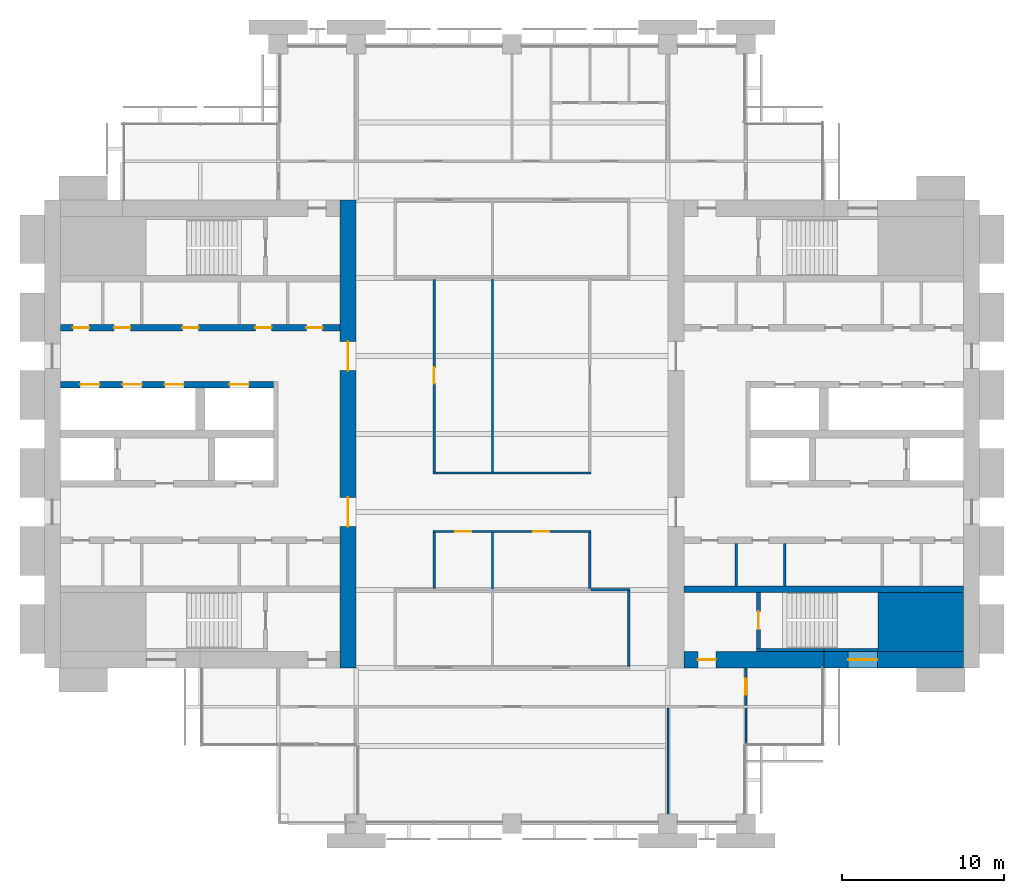
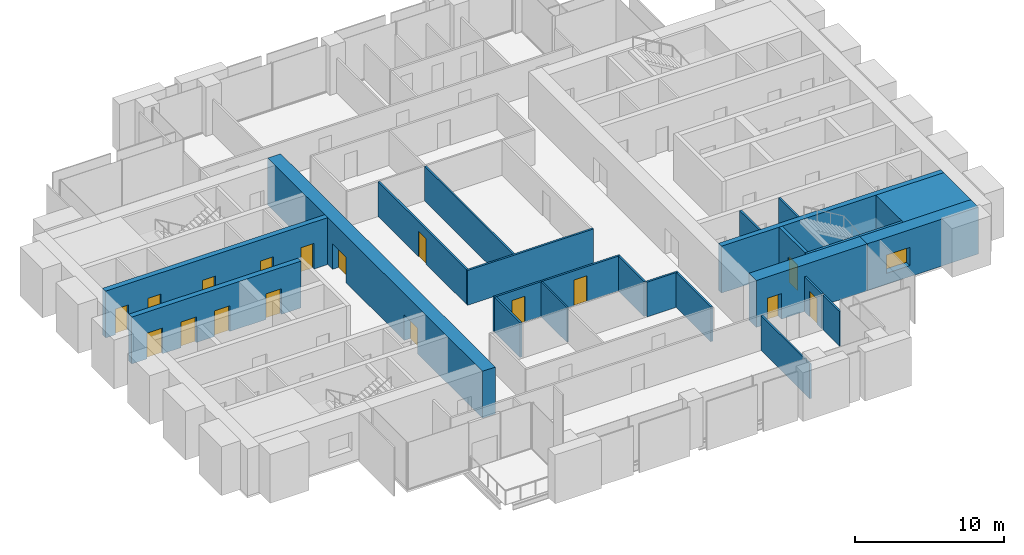
# One storey, part 10 of 14: 24 walls, 17 doors, 1 window, 18 openings.
"""IFC4 building model written with IfcOpenShell, lengths in metres."""

from ifc_helpers import new_model, si_unit, direction, frame, frame_2d, origin, place, context, subcontext, project, spatial, rectangle, extrude, material, layer, layer_set, type_object, element, fill, save


model = new_model("IFC4")

# Units and contexts
model_context = context("Model", 3, precision=1e-05, world=origin(), true_north=direction((0.0, 1.0)))
body_context = subcontext(model_context, "Body", "Model", "MODEL_VIEW")
ifc_project = project(units=[si_unit("LENGTHUNIT", "METRE"), si_unit("AREAUNIT", "SQUARE_METRE"), si_unit("VOLUMEUNIT", "CUBIC_METRE"), si_unit("PLANEANGLEUNIT", "RADIAN"), si_unit("MASSUNIT", "GRAM", prefix="KILO")], contexts=[model_context])

# Site, building, storey
site_placement = place(None, origin())
site = spatial("IfcSite", under=ifc_project, at=site_placement, CompositionType="ELEMENT")
building_placement = place(site_placement, origin())
building = spatial("IfcBuilding", under=site, at=building_placement, Name="Baori Bourse Tower", CompositionType="ELEMENT")
storey_placement = place(building_placement, frame((0.0, 0.0, 148.10009765625)))
storey = spatial("IfcBuildingStorey", under=building, at=storey_placement, Name="L32", CompositionType="ELEMENT", Elevation=148.10009765625)

# Walls
ifc_material_1 = material(Name="Concrete f'c 60 MPa", Category="concrete")
wall_type_1 = type_object("IfcWallType", Name="Core corner block f'c 60", PredefinedType="SHEAR", material=ifc_material_1)
wall_1_placement = place(storey_placement, frame((51.35009765625, 12.425048828125, 0.0), z_axis=(0.0, 0.0, 1.0), x_axis=(1.0, 0.0, 0.0)))
element("IfcWall", 1, at=wall_1_placement, inside=storey, type_object=wall_type_1, Name="Core wall E05", PredefinedType="SHEAR", context=body_context, shape_type="SweptSolid", body=[
    extrude(rectangle(XDim=5.25, YDim=3.64990234375, at=frame_2d((2.625, 0.0))), origin(), (0.0, 0.0, 1.0), 3.83984375),
])
ifc_material_2 = material(Name="Blockwork partition", Category="masonry")
ifc_layer_1 = layer(ifc_material_2, 0.14990234375)
ifc_layer_set_1 = layer_set([ifc_layer_1], Name="Core partition 150")
wall_type_2 = type_object("IfcWallType", Name="Core partition 150", PredefinedType="PARTITIONING", material=ifc_layer_set_1)
for number, where, z_axis, x_axis, name in (
    (2, (45.60009765625, 14.64990234375, 0.0), (0.0, 0.0, 1.0), (0.0, 1.0, 0.0), "Partition wall E12"),
    (3, (42.60009765625, 14.64990234375, 0.0), (0.0, 0.0, 1.0), (0.0, 1.0, 0.0), "Partition wall E13"),
):
    element("IfcWall", number, at=place(storey_placement, frame(where, z_axis=z_axis, x_axis=x_axis)), inside=storey, type_object=wall_type_2, Name=name, PredefinedType="PARTITIONING", context=body_context, shape_type="SweptSolid", body=[
        extrude(rectangle(XDim=2.60009765625, YDim=0.14990234375, at=frame_2d((1.300048828125, 0.0))), origin(), (0.0, 0.0, 1.0), 3.83984375),
    ])

# Wall, openings, doors
ifc_material_3 = material(Name="Concrete f'c 60 MPa", Category="concrete")
ifc_layer_2 = layer(ifc_material_3, 1.0)
ifc_layer_set_2 = layer_set([ifc_layer_2], Name="Core wall 1000 f'c 60")
wall_type_3 = type_object("IfcWallType", Name="Core wall 1000 f'c 60", PredefinedType="SHEAR", material=ifc_layer_set_2)
wall_2_placement = place(storey_placement, frame((18.699951171875, 38.39990234375, 0.0), z_axis=(0.0, 0.0, 1.0), x_axis=(0.0, -1.0, 0.0)))
wall_2 = element("IfcWall", 4, at=wall_2_placement, inside=storey, type_object=wall_type_3, Name="Core wall W04", PredefinedType="SHEAR", context=body_context, shape_type="SweptSolid", body=[
    extrude(rectangle(XDim=28.7998046875, YDim=1.0, at=frame_2d((14.39990234375, 0.0))), origin(), (0.0, 0.0, 1.0), 3.83984375),
])
opening_1_placement = place(wall_2_placement, frame((18.300048828125, 0.0, 0.0)))
opening_1 = element("IfcOpeningElement", 5, at=opening_1_placement, cuts=wall_2, Name="Opening L32-D107", PredefinedType="OPENING", context=body_context, shape_type="SweptSolid", body=[
    extrude(rectangle(XDim=1.800048828125, YDim=2.10009765625, at=frame_2d((0.89990234375, 1.050048828125))), frame((0.0, 0.510009765625, 0.0), z_axis=(0.0, -1.0, 0.0), x_axis=(1.0, 0.0, 0.0)), (0.0, 0.0, 1.0), 1.02001953125),
])
opening_2_placement = place(wall_2_placement, frame((8.699951171875, 0.0, 0.0)))
opening_2 = element("IfcOpeningElement", 6, at=opening_2_placement, cuts=wall_2, Name="Opening L32-D108", PredefinedType="OPENING", context=body_context, shape_type="SweptSolid", body=[
    extrude(rectangle(XDim=1.800048828125, YDim=2.10009765625, at=frame_2d((0.89990234375, 1.050048828125))), frame((0.0, 0.510009765625, 0.0), z_axis=(0.0, -1.0, 0.0), x_axis=(1.0, 0.0, 0.0)), (0.0, 0.0, 1.0), 1.02001953125),
])
ifc_material_4 = material(Name="Painted steel door", Category="steel")
door_type_1 = type_object("IfcDoorType", Name="Core lobby door 1800", OperationType="DOUBLE_DOOR_SINGLE_SWING", PredefinedType="DOOR", material=ifc_material_4)
door_1_placement = place(opening_1_placement, origin())
door_1 = element("IfcDoor", 7, at=door_1_placement, inside=storey, type_object=door_type_1, Name="Lobby door W L32", OperationType="DOUBLE_DOOR_SINGLE_SWING", OverallHeight=2.10009765625, OverallWidth=1.800048828125, PredefinedType="DOOR", context=body_context, shape_type="SweptSolid", body=[
    extrude(rectangle(XDim=1.800048828125, YDim=2.10009765625, at=frame_2d((0.89990234375, 1.050048828125))), frame((0.0, 0.02490234375, 0.0), z_axis=(0.0, -1.0, 0.0), x_axis=(1.0, 0.0, 0.0)), (0.0, 0.0, 1.0), 0.050048828125),
])
fill(opening_1, door_1)
door_2_placement = place(opening_2_placement, origin())
door_2 = element("IfcDoor", 8, at=door_2_placement, inside=storey, type_object=door_type_1, Name="Lobby door W L32", OperationType="DOUBLE_DOOR_SINGLE_SWING", OverallHeight=2.10009765625, OverallWidth=1.800048828125, PredefinedType="DOOR", context=body_context, shape_type="SweptSolid", body=[
    extrude(rectangle(XDim=1.800048828125, YDim=2.10009765625, at=frame_2d((0.89990234375, 1.050048828125))), frame((0.0, 0.02490234375, 0.0), z_axis=(0.0, -1.0, 0.0), x_axis=(1.0, 0.0, 0.0)), (0.0, 0.0, 1.0), 0.050048828125),
])
fill(opening_2, door_2)

# Wall, opening, window
wall_3_placement = place(storey_placement, frame((56.60009765625, 10.10009765625, 0.0), z_axis=(0.0, 0.0, 1.0), x_axis=(-1.0, 0.0, 0.0)))
wall_3 = element("IfcWall", 9, at=wall_3_placement, inside=storey, type_object=wall_type_3, Name="Core wall E02", PredefinedType="SHEAR", context=body_context, shape_type="SweptSolid", body=[
    extrude(rectangle(XDim=8.60009765625, YDim=1.0, at=frame_2d((4.300048828125, 0.0))), origin(), (0.0, 0.0, 1.0), 3.83984375),
])
opening_3_placement = place(wall_3_placement, frame((5.300048828125, 0.0, 0.89990234375)))
opening_3 = element("IfcOpeningElement", 10, at=opening_3_placement, cuts=wall_3, Name="Opening L32-KW203", PredefinedType="OPENING", context=body_context, shape_type="SweptSolid", body=[
    extrude(rectangle(XDim=1.800048828125, YDim=1.5, at=frame_2d((0.89990234375, 0.75))), frame((0.0, 0.510009765625, 0.0), z_axis=(0.0, -1.0, 0.0), x_axis=(1.0, 0.0, 0.0)), (0.0, 0.0, 1.0), 1.02001953125),
])
ifc_material_5 = material(Name="Pale anodised aluminium", Category="aluminium")
window_type = type_object("IfcWindowType", Name="Stair window 1800 x 1500", PartitioningType="SINGLE_PANEL", PredefinedType="WINDOW", material=ifc_material_5)
window_placement = place(opening_3_placement, origin())
window = element("IfcWindow", 11, at=window_placement, inside=storey, type_object=window_type, Name="Stair window E L32 3", OverallHeight=1.5, OverallWidth=1.800048828125, PartitioningType="SINGLE_PANEL", PredefinedType="WINDOW", context=body_context, shape_type="SweptSolid", body=[
    extrude(rectangle(XDim=1.800048828125, YDim=1.5, at=frame_2d((0.89990234375, 0.75))), frame((0.0, 0.030029296875, 0.0), z_axis=(0.0, -1.0, 0.0), x_axis=(1.0, 0.0, 0.0)), (0.0, 0.0, 1.0), 0.06005859375),
])
fill(opening_3, window)

# Wall, opening, door
wall_4_placement = place(storey_placement, frame((48.0, 10.10009765625, 0.0), z_axis=(0.0, 0.0, 1.0), x_axis=(-1.0, 0.0, 0.0)))
wall_4 = element("IfcWall", 12, at=wall_4_placement, inside=storey, type_object=wall_type_3, Name="Core wall E03", PredefinedType="SHEAR", context=body_context, shape_type="SweptSolid", body=[
    extrude(rectangle(XDim=8.60009765625, YDim=1.0, at=frame_2d((4.300048828125, 0.0))), origin(), (0.0, 0.0, 1.0), 3.83984375),
])
opening_4_placement = place(wall_4_placement, frame((6.64990234375, 0.0, 0.0)))
opening_4 = element("IfcOpeningElement", 13, at=opening_4_placement, cuts=wall_4, Name="Opening L32-D202", PredefinedType="OPENING", context=body_context, shape_type="SweptSolid", body=[
    extrude(rectangle(XDim=1.10009765625, YDim=2.10009765625, at=frame_2d((0.550048828125, 1.050048828125))), frame((0.0, 0.510009765625, 0.0), z_axis=(0.0, -1.0, 0.0), x_axis=(1.0, 0.0, 0.0)), (0.0, 0.0, 1.0), 1.02001953125),
])
ifc_material_6 = material(Name="Painted steel door", Category="steel")
door_type_2 = type_object("IfcDoorType", Name="Stair door 1100", OperationType="SINGLE_SWING_LEFT", PredefinedType="DOOR", material=ifc_material_6)
door_3_placement = place(opening_4_placement, origin())
door_3 = element("IfcDoor", 14, at=door_3_placement, inside=storey, type_object=door_type_2, Name="Stair vestibule door A E L32", OperationType="SINGLE_SWING_LEFT", OverallHeight=2.10009765625, OverallWidth=1.10009765625, PredefinedType="DOOR", context=body_context, shape_type="SweptSolid", body=[
    extrude(rectangle(XDim=1.10009765625, YDim=2.10009765625, at=frame_2d((0.550048828125, 1.050048828125))), frame((0.0, 0.02490234375, 0.0), z_axis=(0.0, -1.0, 0.0), x_axis=(1.0, 0.0, 0.0)), (0.0, 0.0, 1.0), 0.050048828125),
])
fill(opening_4, door_3)

# Wall
ifc_material_7 = material(Name="Gypsum board partition")
ifc_layer_3 = layer(ifc_material_7, 0.14990234375)
ifc_layer_set_3 = layer_set([ifc_layer_3], Name="Corridor partition 150")
wall_type_4 = type_object("IfcWallType", Name="Corridor partition 150", PredefinedType="PARTITIONING", material=ifc_layer_set_3)
wall_5_placement = place(storey_placement, frame((33.675048828125, 14.39990234375, 0.0), z_axis=(0.0, 0.0, 1.0), x_axis=(1.0, 0.0, 0.0)))
element("IfcWall", 15, at=wall_5_placement, inside=storey, type_object=wall_type_4, Name="Partition", PredefinedType="PARTITIONING", context=body_context, shape_type="SweptSolid", body=[
    extrude(rectangle(XDim=2.39990234375, YDim=0.14990234375, at=frame_2d((1.199951171875, 0.0))), origin(), (0.0, 0.0, 1.0), 2.849365234375),
])

# Wall, openings, doors
wall_6_placement = place(storey_placement, frame((23.925048828125, 18.0, 0.0), z_axis=(0.0, 0.0, 1.0), x_axis=(1.0, 0.0, 0.0)))
wall_6 = element("IfcWall", 16, at=wall_6_placement, inside=storey, type_object=wall_type_4, Name="Partition", PredefinedType="PARTITIONING", context=body_context, shape_type="SweptSolid", body=[
    extrude(rectangle(XDim=9.75, YDim=0.14990234375, at=frame_2d((4.875, 0.0))), origin(), (0.0, 0.0, 1.0), 2.849365234375),
])
opening_5_placement = place(wall_6_placement, frame((1.375, 0.0, 0.0)))
opening_5 = element("IfcOpeningElement", 17, at=opening_5_placement, cuts=wall_6, Name="Opening L32-D06", PredefinedType="OPENING", context=body_context, shape_type="SweptSolid", body=[
    extrude(rectangle(XDim=1.0, YDim=2.10009765625, at=frame_2d((0.5, 1.050048828125))), frame((0.0, 0.0849609375, 0.0), z_axis=(0.0, -1.0, 0.0), x_axis=(1.0, 0.0, 0.0)), (0.0, 0.0, 1.0), 0.169921875),
])
opening_6_placement = place(wall_6_placement, frame((6.175048828125, 0.0, 0.0)))
opening_6 = element("IfcOpeningElement", 18, at=opening_6_placement, cuts=wall_6, Name="Opening L32-D07", PredefinedType="OPENING", context=body_context, shape_type="SweptSolid", body=[
    extrude(rectangle(XDim=1.0, YDim=2.10009765625, at=frame_2d((0.5, 1.050048828125))), frame((0.0, 0.0849609375, 0.0), z_axis=(0.0, -1.0, 0.0), x_axis=(1.0, 0.0, 0.0)), (0.0, 0.0, 1.0), 0.169921875),
])
ifc_material_8 = material(Name="Timber door leaf", Category="wood")
door_type_3 = type_object("IfcDoorType", Name="Door 1000 x 2100", OperationType="SINGLE_SWING_LEFT", PredefinedType="DOOR", material=ifc_material_8)
door_4_placement = place(opening_5_placement, origin())
door_4 = element("IfcDoor", 19, at=door_4_placement, inside=storey, type_object=door_type_3, Name="Door", OperationType="SINGLE_SWING_LEFT", OverallHeight=2.10009765625, OverallWidth=1.0, PredefinedType="DOOR", context=body_context, shape_type="SweptSolid", body=[
    extrude(rectangle(XDim=1.0, YDim=2.10009765625, at=frame_2d((0.5, 1.050048828125))), frame((0.0, 0.02490234375, 0.0), z_axis=(0.0, -1.0, 0.0), x_axis=(1.0, 0.0, 0.0)), (0.0, 0.0, 1.0), 0.050048828125),
])
fill(opening_5, door_4)
door_5_placement = place(opening_6_placement, origin())
door_5 = element("IfcDoor", 20, at=door_5_placement, inside=storey, type_object=door_type_3, Name="Door", OperationType="SINGLE_SWING_RIGHT", OverallHeight=2.10009765625, OverallWidth=1.0, PredefinedType="DOOR", context=body_context, shape_type="SweptSolid", body=[
    extrude(rectangle(XDim=1.0, YDim=2.10009765625, at=frame_2d((0.5, 1.050048828125))), frame((0.0, 0.02490234375, 0.0), z_axis=(0.0, -1.0, 0.0), x_axis=(1.0, 0.0, 0.0)), (0.0, 0.0, 1.0), 0.050048828125),
])
fill(opening_6, door_5)

# Walls
wall_7_placement = place(storey_placement, frame((23.925048828125, 21.60009765625, 0.0), z_axis=(0.0, 0.0, 1.0), x_axis=(1.0, 0.0, 0.0)))
element("IfcWall", 21, at=wall_7_placement, inside=storey, type_object=wall_type_4, Name="Partition", PredefinedType="PARTITIONING", context=body_context, shape_type="SweptSolid", body=[
    extrude(rectangle(XDim=9.75, YDim=0.14990234375, at=frame_2d((4.875, 0.0))), origin(), (0.0, 0.0, 1.0), 2.849365234375),
])
wall_8_placement = place(storey_placement, frame((24.0, 14.47509765625, 0.0), z_axis=(0.0, 0.0, 1.0), x_axis=(0.0, 1.0, 0.0)))
element("IfcWall", 22, at=wall_8_placement, inside=storey, type_object=wall_type_4, Name="Partition", PredefinedType="PARTITIONING", context=body_context, shape_type="SweptSolid", body=[
    extrude(rectangle(XDim=3.449951171875, YDim=0.14990234375, at=frame_2d((1.72509765625, 0.0))), origin(), (0.0, 0.0, 1.0), 2.849365234375),
])

# Wall, opening, door
wall_9_placement = place(storey_placement, frame((24.0, 21.675048828125, 0.0), z_axis=(0.0, 0.0, 1.0), x_axis=(0.0, 1.0, 0.0)))
wall_9 = element("IfcWall", 23, at=wall_9_placement, inside=storey, type_object=wall_type_4, Name="Partition", PredefinedType="PARTITIONING", context=body_context, shape_type="SweptSolid", body=[
    extrude(rectangle(XDim=11.849853515625, YDim=0.14990234375, at=frame_2d((5.9248046875, 0.0))), origin(), (0.0, 0.0, 1.0), 2.849365234375),
])
opening_7_placement = place(wall_9_placement, frame((5.425048828125, 0.0, 0.0)))
opening_7 = element("IfcOpeningElement", 24, at=opening_7_placement, cuts=wall_9, Name="Opening L32-D19", PredefinedType="OPENING", context=body_context, shape_type="SweptSolid", body=[
    extrude(rectangle(XDim=1.0, YDim=2.10009765625, at=frame_2d((0.5, 1.050048828125))), frame((0.0, 0.0849609375, 0.0), z_axis=(0.0, -1.0, 0.0), x_axis=(1.0, 0.0, 0.0)), (0.0, 0.0, 1.0), 0.169921875),
])
door_6_placement = place(opening_7_placement, origin())
door_6 = element("IfcDoor", 25, at=door_6_placement, inside=storey, type_object=door_type_3, Name="Door", OperationType="SINGLE_SWING_RIGHT", OverallHeight=2.10009765625, OverallWidth=1.0, PredefinedType="DOOR", context=body_context, shape_type="SweptSolid", body=[
    extrude(rectangle(XDim=1.0, YDim=2.10009765625, at=frame_2d((0.5, 1.050048828125))), frame((0.0, 0.02490234375, 0.0), z_axis=(0.0, -1.0, 0.0), x_axis=(1.0, 0.0, 0.0)), (0.0, 0.0, 1.0), 0.050048828125),
])
fill(opening_7, door_6)

# Walls
wall_10_placement = place(storey_placement, frame((33.60009765625, 14.47509765625, 0.0), z_axis=(0.0, 0.0, 1.0), x_axis=(0.0, 1.0, 0.0)))
element("IfcWall", 26, at=wall_10_placement, inside=storey, type_object=wall_type_4, Name="Partition", PredefinedType="PARTITIONING", context=body_context, shape_type="SweptSolid", body=[
    extrude(rectangle(XDim=3.449951171875, YDim=0.14990234375, at=frame_2d((1.72509765625, 0.0))), origin(), (0.0, 0.0, 1.0), 2.849365234375),
])
wall_11_placement = place(storey_placement, frame((36.0, 9.675048828125, 0.0), z_axis=(0.0, 0.0, 1.0), x_axis=(0.0, 1.0, 0.0)))
element("IfcWall", 27, at=wall_11_placement, inside=storey, type_object=wall_type_4, Name="Partition", PredefinedType="PARTITIONING", context=body_context, shape_type="SweptSolid", body=[
    extrude(rectangle(XDim=4.64990234375, YDim=0.14990234375, at=frame_2d((2.324951171875, 0.0))), origin(), (0.0, 0.0, 1.0), 2.849365234375),
])

# Wall, opening, door
wall_12_placement = place(storey_placement, frame((43.199951171875, 7.27490234375, 0.0), z_axis=(0.0, 0.0, 1.0), x_axis=(0.0, 1.0, 0.0)))
wall_12 = element("IfcWall", 28, at=wall_12_placement, inside=storey, type_object=wall_type_4, Name="Partition", PredefinedType="PARTITIONING", context=body_context, shape_type="SweptSolid", body=[
    extrude(rectangle(XDim=2.3251953125, YDim=0.14990234375, at=frame_2d((1.16259765625, 0.0))), origin(), (0.0, 0.0, 1.0), 2.849365234375),
])
opening_8_placement = place(wall_12_placement, frame((0.66259765625, 0.0, 0.0)))
opening_8 = element("IfcOpeningElement", 29, at=opening_8_placement, cuts=wall_12, Name="Opening L32-D21", PredefinedType="OPENING", context=body_context, shape_type="SweptSolid", body=[
    extrude(rectangle(XDim=1.0, YDim=2.10009765625, at=frame_2d((0.5, 1.050048828125))), frame((0.0, 0.0849609375, 0.0), z_axis=(0.0, -1.0, 0.0), x_axis=(1.0, 0.0, 0.0)), (0.0, 0.0, 1.0), 0.169921875),
])
door_7_placement = place(opening_8_placement, origin())
door_7 = element("IfcDoor", 30, at=door_7_placement, inside=storey, type_object=door_type_3, Name="Door", OperationType="SINGLE_SWING_LEFT", OverallHeight=2.10009765625, OverallWidth=1.0, PredefinedType="DOOR", context=body_context, shape_type="SweptSolid", body=[
    extrude(rectangle(XDim=1.0, YDim=2.10009765625, at=frame_2d((0.5, 1.050048828125))), frame((0.0, 0.02490234375, 0.0), z_axis=(0.0, -1.0, 0.0), x_axis=(1.0, 0.0, 0.0)), (0.0, 0.0, 1.0), 0.050048828125),
])
fill(opening_8, door_7)

# Walls
ifc_material_9 = material(Name="Gypsum board partition")
ifc_layer_4 = layer(ifc_material_9, 0.125)
ifc_layer_set_4 = layer_set([ifc_layer_4], Name="Partition 125")
wall_type_5 = type_object("IfcWallType", Name="Partition 125", PredefinedType="PARTITIONING", material=ifc_layer_set_4)
wall_13_placement = place(storey_placement, frame((27.60009765625, 14.46240234375, 0.0), z_axis=(0.0, 0.0, 1.0), x_axis=(0.0, 1.0, 0.0)))
element("IfcWall", 31, at=wall_13_placement, inside=storey, type_object=wall_type_5, Name="Partition", PredefinedType="PARTITIONING", context=body_context, shape_type="SweptSolid", body=[
    extrude(rectangle(XDim=3.462646484375, YDim=0.125, at=frame_2d((1.7314453125, 0.0))), origin(), (0.0, 0.0, 1.0), 2.849365234375),
])
wall_14_placement = place(storey_placement, frame((27.60009765625, 21.675048828125, 0.0), z_axis=(0.0, 0.0, 1.0), x_axis=(0.0, 1.0, 0.0)))
element("IfcWall", 32, at=wall_14_placement, inside=storey, type_object=wall_type_5, Name="Partition", PredefinedType="PARTITIONING", context=body_context, shape_type="SweptSolid", body=[
    extrude(rectangle(XDim=11.862548828125, YDim=0.125, at=frame_2d((5.93115234375, 0.0))), origin(), (0.0, 0.0, 1.0), 2.849365234375),
])
wall_15_placement = place(storey_placement, frame((38.39990234375, 0.60009765625, 0.0), z_axis=(0.0, 0.0, 1.0), x_axis=(0.0, 1.0, 0.0)))
element("IfcWall", 33, at=wall_15_placement, inside=storey, type_object=wall_type_5, Name="Partition", PredefinedType="PARTITIONING", context=body_context, shape_type="SweptSolid", body=[
    extrude(rectangle(XDim=6.52490234375, YDim=0.125, at=frame_2d((3.262451171875, 0.0))), origin(), (0.0, 0.0, 1.0), 2.849365234375),
])
wall_16_placement = place(storey_placement, frame((43.199951171875, 4.89990234375, 0.0), z_axis=(0.0, 0.0, 1.0), x_axis=(0.0, 1.0, 0.0)))
element("IfcWall", 34, at=wall_16_placement, inside=storey, type_object=wall_type_5, Name="Partition", PredefinedType="PARTITIONING", context=body_context, shape_type="SweptSolid", body=[
    extrude(rectangle(XDim=2.22509765625, YDim=0.125, at=frame_2d((1.112548828125, 0.0))), origin(), (0.0, 0.0, 1.0), 2.849365234375),
])
ifc_material_10 = material(Name="Concrete f'c 60 MPa", Category="concrete")
ifc_layer_5 = layer(ifc_material_10, 0.199951171875)
ifc_layer_set_5 = layer_set([ifc_layer_5], Name="Shaft wall 200 f'c 60")
wall_type_6 = type_object("IfcWallType", Name="Shaft wall 200 f'c 60", PredefinedType="SHEAR", material=ifc_layer_set_5)
wall_17_placement = place(storey_placement, frame((48.0, 10.699951171875, 0.0), z_axis=(0.0, 0.0, 1.0), x_axis=(1.0, 0.0, 0.0)))
element("IfcWall", 35, at=wall_17_placement, inside=storey, type_object=wall_type_6, Name="Core wall E06", PredefinedType="SHEAR", context=body_context, shape_type="SweptSolid", body=[
    extrude(rectangle(XDim=3.35009765625, YDim=0.199951171875, at=frame_2d((1.675048828125, 0.0))), origin(), (0.0, 0.0, 1.0), 3.83984375),
])
wall_18_placement = place(storey_placement, frame((43.85009765625, 10.699951171875, 0.0), z_axis=(0.0, 0.0, 1.0), x_axis=(1.0, 0.0, 0.0)))
element("IfcWall", 36, at=wall_18_placement, inside=storey, type_object=wall_type_6, Name="Core wall E07", PredefinedType="SHEAR", context=body_context, shape_type="SweptSolid", body=[
    extrude(rectangle(XDim=4.14990234375, YDim=0.199951171875, at=frame_2d((2.074951171875, 0.0))), origin(), (0.0, 0.0, 1.0), 3.83984375),
])

# Wall, opening, door
ifc_material_11 = material(Name="Concrete f'c 60 MPa", Category="concrete")
ifc_layer_6 = layer(ifc_material_11, 0.25)
ifc_layer_set_6 = layer_set([ifc_layer_6], Name="Shaft wall 250 f'c 60")
wall_type_7 = type_object("IfcWallType", Name="Shaft wall 250 f'c 60", PredefinedType="SHEAR", material=ifc_layer_set_6)
wall_19_placement = place(storey_placement, frame((43.97509765625, 10.800048828125, 0.0), z_axis=(0.0, 0.0, 1.0), x_axis=(0.0, 1.0, 0.0)))
wall_19 = element("IfcWall", 37, at=wall_19_placement, inside=storey, type_object=wall_type_7, Name="Core wall E08", PredefinedType="SHEAR", context=body_context, shape_type="SweptSolid", body=[
    extrude(rectangle(XDim=3.449951171875, YDim=0.25, at=frame_2d((1.72509765625, 0.0))), origin(), (0.0, 0.0, 1.0), 3.83984375),
])
opening_9_placement = place(wall_19_placement, frame((1.175048828125, 0.0, 0.0)))
opening_9 = element("IfcOpeningElement", 38, at=opening_9_placement, cuts=wall_19, Name="Opening L32-D201", PredefinedType="OPENING", context=body_context, shape_type="SweptSolid", body=[
    extrude(rectangle(XDim=1.10009765625, YDim=2.10009765625, at=frame_2d((0.550048828125, 1.050048828125))), frame((0.0, 0.135009765625, 0.0), z_axis=(0.0, -1.0, 0.0), x_axis=(1.0, 0.0, 0.0)), (0.0, 0.0, 1.0), 0.27001953125),
])
door_8_placement = place(opening_9_placement, origin())
door_8 = element("IfcDoor", 39, at=door_8_placement, inside=storey, type_object=door_type_2, Name="Stair door A E L32", OperationType="SINGLE_SWING_LEFT", OverallHeight=2.10009765625, OverallWidth=1.10009765625, PredefinedType="DOOR", context=body_context, shape_type="SweptSolid", body=[
    extrude(rectangle(XDim=1.10009765625, YDim=2.10009765625, at=frame_2d((0.550048828125, 1.050048828125))), frame((0.0, 0.02490234375, 0.0), z_axis=(0.0, -1.0, 0.0), x_axis=(1.0, 0.0, 0.0)), (0.0, 0.0, 1.0), 0.050048828125),
])
fill(opening_9, door_8)

# Wall, openings, doors
ifc_material_12 = material(Name="Concrete f'c 60 MPa", Category="concrete")
ifc_layer_7 = layer(ifc_material_12, 0.39990234375)
ifc_layer_set_7 = layer_set([ifc_layer_7], Name="Shaft wall 400 f'c 60")
wall_type_8 = type_object("IfcWallType", Name="Shaft wall 400 f'c 60", PredefinedType="SHEAR", material=ifc_layer_set_7)
wall_20_placement = place(storey_placement, frame((1.0, 27.050048828125, 0.0), z_axis=(0.0, 0.0, 1.0), x_axis=(1.0, 0.0, 0.0)))
wall_20 = element("IfcWall", 40, at=wall_20_placement, inside=storey, type_object=wall_type_8, Name="Core wall W21", PredefinedType="SHEAR", context=body_context, shape_type="SweptSolid", body=[
    extrude(rectangle(XDim=13.10009765625, YDim=0.39990234375, at=frame_2d((6.550048828125, 0.0))), origin(), (0.0, 0.0, 1.0), 3.83984375),
])
opening_10_placement = place(wall_20_placement, frame((1.199951171875, 0.0, 0.0)))
opening_10 = element("IfcOpeningElement", 41, at=opening_10_placement, cuts=wall_20, Name="Opening L32-D119", PredefinedType="OPENING", context=body_context, shape_type="SweptSolid", body=[
    extrude(rectangle(XDim=1.199951171875, YDim=2.10009765625, at=frame_2d((0.60009765625, 1.050048828125))), frame((0.0, 0.2099609375, 0.0), z_axis=(0.0, -1.0, 0.0), x_axis=(1.0, 0.0, 0.0)), (0.0, 0.0, 1.0), 0.419921875),
])
opening_11_placement = place(wall_20_placement, frame((3.800048828125, 0.0, 0.0)))
opening_11 = element("IfcOpeningElement", 42, at=opening_11_placement, cuts=wall_20, Name="Opening L32-D120", PredefinedType="OPENING", context=body_context, shape_type="SweptSolid", body=[
    extrude(rectangle(XDim=1.199951171875, YDim=2.10009765625, at=frame_2d((0.60009765625, 1.050048828125))), frame((0.0, 0.2099609375, 0.0), z_axis=(0.0, -1.0, 0.0), x_axis=(1.0, 0.0, 0.0)), (0.0, 0.0, 1.0), 0.419921875),
])
opening_12_placement = place(wall_20_placement, frame((6.39990234375, 0.0, 0.0)))
opening_12 = element("IfcOpeningElement", 43, at=opening_12_placement, cuts=wall_20, Name="Opening L32-D121", PredefinedType="OPENING", context=body_context, shape_type="SweptSolid", body=[
    extrude(rectangle(XDim=1.199951171875, YDim=2.10009765625, at=frame_2d((0.60009765625, 1.050048828125))), frame((0.0, 0.2099609375, 0.0), z_axis=(0.0, -1.0, 0.0), x_axis=(1.0, 0.0, 0.0)), (0.0, 0.0, 1.0), 0.419921875),
])
opening_13_placement = place(wall_20_placement, frame((10.39990234375, 0.0, 0.0)))
opening_13 = element("IfcOpeningElement", 44, at=opening_13_placement, cuts=wall_20, Name="Opening L32-D122", PredefinedType="OPENING", context=body_context, shape_type="SweptSolid", body=[
    extrude(rectangle(XDim=1.199951171875, YDim=2.10009765625, at=frame_2d((0.60009765625, 1.050048828125))), frame((0.0, 0.2099609375, 0.0), z_axis=(0.0, -1.0, 0.0), x_axis=(1.0, 0.0, 0.0)), (0.0, 0.0, 1.0), 0.419921875),
])
ifc_material_13 = material(Name="Stainless steel door", Category="steel")
door_type_4 = type_object("IfcDoorType", Name="Lift landing door", OperationType="DOUBLE_DOOR_SLIDING", PredefinedType="DOOR", material=ifc_material_13)
door_9_placement = place(opening_10_placement, origin())
door_9 = element("IfcDoor", 45, at=door_9_placement, inside=storey, type_object=door_type_4, Name="Lift landing door SH1 W L32", OperationType="DOUBLE_DOOR_SLIDING", OverallHeight=2.10009765625, OverallWidth=1.199951171875, PredefinedType="DOOR", context=body_context, shape_type="SweptSolid", body=[
    extrude(rectangle(XDim=1.199951171875, YDim=2.10009765625, at=frame_2d((0.60009765625, 1.050048828125))), frame((0.0, 0.02490234375, 0.0), z_axis=(0.0, -1.0, 0.0), x_axis=(1.0, 0.0, 0.0)), (0.0, 0.0, 1.0), 0.050048828125),
])
fill(opening_10, door_9)
door_10_placement = place(opening_11_placement, origin())
door_10 = element("IfcDoor", 46, at=door_10_placement, inside=storey, type_object=door_type_4, Name="Lift landing door SH2 W L32", OperationType="DOUBLE_DOOR_SLIDING", OverallHeight=2.10009765625, OverallWidth=1.199951171875, PredefinedType="DOOR", context=body_context, shape_type="SweptSolid", body=[
    extrude(rectangle(XDim=1.199951171875, YDim=2.10009765625, at=frame_2d((0.60009765625, 1.050048828125))), frame((0.0, 0.02490234375, 0.0), z_axis=(0.0, -1.0, 0.0), x_axis=(1.0, 0.0, 0.0)), (0.0, 0.0, 1.0), 0.050048828125),
])
fill(opening_11, door_10)
door_11_placement = place(opening_12_placement, origin())
door_11 = element("IfcDoor", 47, at=door_11_placement, inside=storey, type_object=door_type_4, Name="Lift landing door SH3 W L32", OperationType="DOUBLE_DOOR_SLIDING", OverallHeight=2.10009765625, OverallWidth=1.199951171875, PredefinedType="DOOR", context=body_context, shape_type="SweptSolid", body=[
    extrude(rectangle(XDim=1.199951171875, YDim=2.10009765625, at=frame_2d((0.60009765625, 1.050048828125))), frame((0.0, 0.02490234375, 0.0), z_axis=(0.0, -1.0, 0.0), x_axis=(1.0, 0.0, 0.0)), (0.0, 0.0, 1.0), 0.050048828125),
])
fill(opening_12, door_11)
door_12_placement = place(opening_13_placement, origin())
door_12 = element("IfcDoor", 48, at=door_12_placement, inside=storey, type_object=door_type_4, Name="Lift landing door SV1 W L32", OperationType="DOUBLE_DOOR_SLIDING", OverallHeight=2.10009765625, OverallWidth=1.199951171875, PredefinedType="DOOR", context=body_context, shape_type="SweptSolid", body=[
    extrude(rectangle(XDim=1.199951171875, YDim=2.10009765625, at=frame_2d((0.60009765625, 1.050048828125))), frame((0.0, 0.02490234375, 0.0), z_axis=(0.0, -1.0, 0.0), x_axis=(1.0, 0.0, 0.0)), (0.0, 0.0, 1.0), 0.050048828125),
])
fill(opening_13, door_12)

wall_21_placement = place(storey_placement, frame((1.0, 30.550048828125, 0.0), z_axis=(0.0, 0.0, 1.0), x_axis=(1.0, 0.0, 0.0)))
wall_21 = element("IfcWall", 49, at=wall_21_placement, inside=storey, type_object=wall_type_8, Name="Core wall W22", PredefinedType="SHEAR", context=body_context, shape_type="SweptSolid", body=[
    extrude(rectangle(XDim=17.199951171875, YDim=0.39990234375, at=frame_2d((8.60009765625, 0.0))), origin(), (0.0, 0.0, 1.0), 3.83984375),
])
opening_14_placement = place(wall_21_placement, frame((0.762451171875, 0.0, 0.0)))
opening_14 = element("IfcOpeningElement", 50, at=opening_14_placement, cuts=wall_21, Name="Opening L32-D109", PredefinedType="OPENING", context=body_context, shape_type="SweptSolid", body=[
    extrude(rectangle(XDim=1.0, YDim=2.10009765625, at=frame_2d((0.5, 1.050048828125))), frame((0.0, 0.2099609375, 0.0), z_axis=(0.0, -1.0, 0.0), x_axis=(1.0, 0.0, 0.0)), (0.0, 0.0, 1.0), 0.419921875),
])
opening_15_placement = place(wall_21_placement, frame((3.300048828125, 0.0, 0.0)))
opening_15 = element("IfcOpeningElement", 51, at=opening_15_placement, cuts=wall_21, Name="Opening L32-D110", PredefinedType="OPENING", context=body_context, shape_type="SweptSolid", body=[
    extrude(rectangle(XDim=1.0, YDim=2.10009765625, at=frame_2d((0.5, 1.050048828125))), frame((0.0, 0.2099609375, 0.0), z_axis=(0.0, -1.0, 0.0), x_axis=(1.0, 0.0, 0.0)), (0.0, 0.0, 1.0), 0.419921875),
])
opening_16_placement = place(wall_21_placement, frame((7.5, 0.0, 0.0)))
opening_16 = element("IfcOpeningElement", 52, at=opening_16_placement, cuts=wall_21, Name="Opening L32-D111", PredefinedType="OPENING", context=body_context, shape_type="SweptSolid", body=[
    extrude(rectangle(XDim=1.0, YDim=2.10009765625, at=frame_2d((0.5, 1.050048828125))), frame((0.0, 0.2099609375, 0.0), z_axis=(0.0, -1.0, 0.0), x_axis=(1.0, 0.0, 0.0)), (0.0, 0.0, 1.0), 0.419921875),
])
opening_17_placement = place(wall_21_placement, frame((12.0, 0.0, 0.0)))
opening_17 = element("IfcOpeningElement", 53, at=opening_17_placement, cuts=wall_21, Name="Opening L32-D112", PredefinedType="OPENING", context=body_context, shape_type="SweptSolid", body=[
    extrude(rectangle(XDim=1.0, YDim=2.10009765625, at=frame_2d((0.5, 1.050048828125))), frame((0.0, 0.2099609375, 0.0), z_axis=(0.0, -1.0, 0.0), x_axis=(1.0, 0.0, 0.0)), (0.0, 0.0, 1.0), 0.419921875),
])
opening_18_placement = place(wall_21_placement, frame((15.137451171875, 0.0, 0.0)))
opening_18 = element("IfcOpeningElement", 54, at=opening_18_placement, cuts=wall_21, Name="Opening L32-D113", PredefinedType="OPENING", context=body_context, shape_type="SweptSolid", body=[
    extrude(rectangle(XDim=1.0, YDim=2.10009765625, at=frame_2d((0.5, 1.050048828125))), frame((0.0, 0.2099609375, 0.0), z_axis=(0.0, -1.0, 0.0), x_axis=(1.0, 0.0, 0.0)), (0.0, 0.0, 1.0), 0.419921875),
])
ifc_material_14 = material(Name="Painted steel door", Category="steel")
door_type_5 = type_object("IfcDoorType", Name="Core door 1000", OperationType="SINGLE_SWING_LEFT", PredefinedType="DOOR", material=ifc_material_14)
door_13_placement = place(opening_14_placement, origin())
door_13 = element("IfcDoor", 55, at=door_13_placement, inside=storey, type_object=door_type_5, Name="Store Room door W L32", OperationType="SINGLE_SWING_LEFT", OverallHeight=2.10009765625, OverallWidth=1.0, PredefinedType="DOOR", context=body_context, shape_type="SweptSolid", body=[
    extrude(rectangle(XDim=1.0, YDim=2.10009765625, at=frame_2d((0.5, 1.050048828125))), frame((0.0, 0.02490234375, 0.0), z_axis=(0.0, -1.0, 0.0), x_axis=(1.0, 0.0, 0.0)), (0.0, 0.0, 1.0), 0.050048828125),
])
fill(opening_14, door_13)
door_14_placement = place(opening_15_placement, origin())
door_14 = element("IfcDoor", 56, at=door_14_placement, inside=storey, type_object=door_type_5, Name="Pantry door W L32", OperationType="SINGLE_SWING_LEFT", OverallHeight=2.10009765625, OverallWidth=1.0, PredefinedType="DOOR", context=body_context, shape_type="SweptSolid", body=[
    extrude(rectangle(XDim=1.0, YDim=2.10009765625, at=frame_2d((0.5, 1.050048828125))), frame((0.0, 0.02490234375, 0.0), z_axis=(0.0, -1.0, 0.0), x_axis=(1.0, 0.0, 0.0)), (0.0, 0.0, 1.0), 0.050048828125),
])
fill(opening_15, door_14)
door_15_placement = place(opening_16_placement, origin())
door_15 = element("IfcDoor", 57, at=door_15_placement, inside=storey, type_object=door_type_5, Name="Men'S Wc door W L32", OperationType="SINGLE_SWING_LEFT", OverallHeight=2.10009765625, OverallWidth=1.0, PredefinedType="DOOR", context=body_context, shape_type="SweptSolid", body=[
    extrude(rectangle(XDim=1.0, YDim=2.10009765625, at=frame_2d((0.5, 1.050048828125))), frame((0.0, 0.02490234375, 0.0), z_axis=(0.0, -1.0, 0.0), x_axis=(1.0, 0.0, 0.0)), (0.0, 0.0, 1.0), 0.050048828125),
])
fill(opening_16, door_15)
door_16_placement = place(opening_17_placement, origin())
door_16 = element("IfcDoor", 58, at=door_16_placement, inside=storey, type_object=door_type_5, Name="Women'S Wc door W L32", OperationType="SINGLE_SWING_LEFT", OverallHeight=2.10009765625, OverallWidth=1.0, PredefinedType="DOOR", context=body_context, shape_type="SweptSolid", body=[
    extrude(rectangle(XDim=1.0, YDim=2.10009765625, at=frame_2d((0.5, 1.050048828125))), frame((0.0, 0.02490234375, 0.0), z_axis=(0.0, -1.0, 0.0), x_axis=(1.0, 0.0, 0.0)), (0.0, 0.0, 1.0), 0.050048828125),
])
fill(opening_17, door_16)
door_17_placement = place(opening_18_placement, origin())
door_17 = element("IfcDoor", 59, at=door_17_placement, inside=storey, type_object=door_type_5, Name="Accessible Wc door W L32", OperationType="SINGLE_SWING_LEFT", OverallHeight=2.10009765625, OverallWidth=1.0, PredefinedType="DOOR", context=body_context, shape_type="SweptSolid", body=[
    extrude(rectangle(XDim=1.0, YDim=2.10009765625, at=frame_2d((0.5, 1.050048828125))), frame((0.0, 0.02490234375, 0.0), z_axis=(0.0, -1.0, 0.0), x_axis=(1.0, 0.0, 0.0)), (0.0, 0.0, 1.0), 0.050048828125),
])
fill(opening_18, door_17)

# Wall
wall_22_placement = place(storey_placement, frame((39.39990234375, 14.449951171875, 0.0), z_axis=(0.0, 0.0, 1.0), x_axis=(1.0, 0.0, 0.0)))
element("IfcWall", 60, at=wall_22_placement, inside=storey, type_object=wall_type_8, Name="Core wall E09", PredefinedType="SHEAR", context=body_context, shape_type="SweptSolid", body=[
    extrude(rectangle(XDim=17.2001953125, YDim=0.39990234375, at=frame_2d((8.60009765625, 0.0))), origin(), (0.0, 0.0, 1.0), 3.83984375),
])

save(model, "model.ifc")
